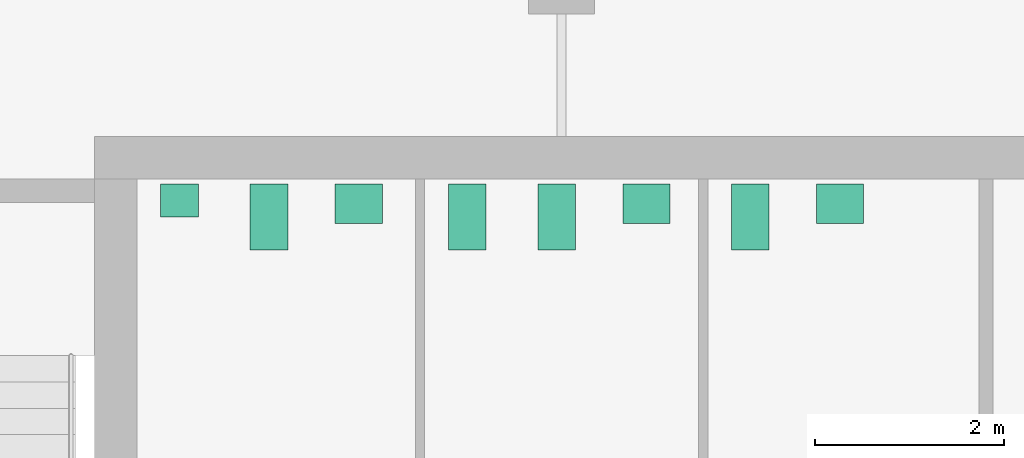
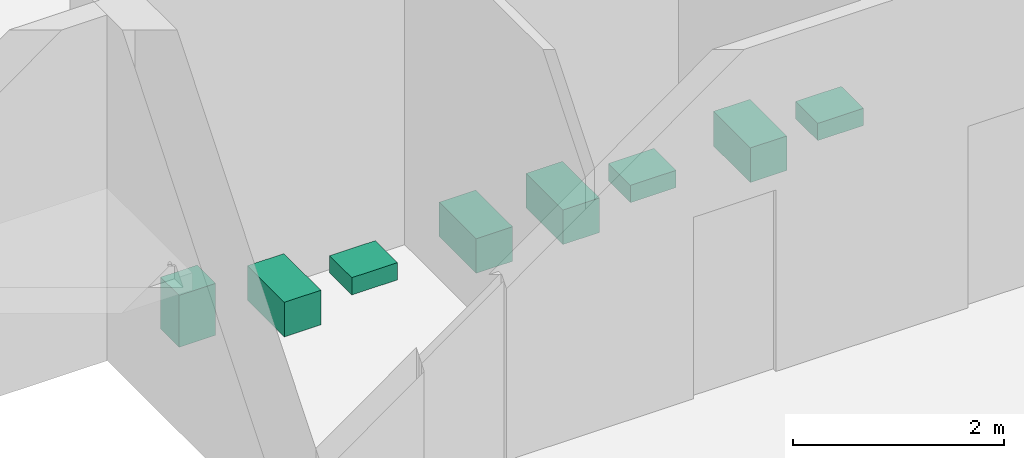
# One storey, part 7 of 7: 8 sanitary terminals.
"""IFC4 building model written with IfcOpenShell, lengths in metres."""

from ifc_helpers import new_model, si_unit, direction, frame, origin, origin_2d, place, context, subcontext, project, spatial, rectangle, extrude, material, type_object, element, save


model = new_model("IFC4")

# Units and contexts
model_context = context("Model", 3, precision=1e-05, world=origin(), true_north=direction((0.0, 1.0)))
body_context = subcontext(model_context, "Body", "Model", "MODEL_VIEW")
ifc_project = project(units=[si_unit("LENGTHUNIT", "METRE"), si_unit("AREAUNIT", "SQUARE_METRE"), si_unit("VOLUMEUNIT", "CUBIC_METRE"), si_unit("PLANEANGLEUNIT", "RADIAN"), si_unit("MASSUNIT", "GRAM", prefix="KILO")], contexts=[model_context])

# Site, building, storey
site_placement = place(None, origin())
site = spatial("IfcSite", under=ifc_project, at=site_placement, CompositionType="ELEMENT")
building_placement = place(site_placement, origin())
building = spatial("IfcBuilding", under=site, at=building_placement, Name="Cinnabar Reach Civic Tower", CompositionType="ELEMENT")
storey_placement = place(building_placement, frame((0.0, 0.0, 259.0)))
storey = spatial("IfcBuildingStorey", under=building, at=storey_placement, Name="L62", CompositionType="ELEMENT", Elevation=259.0)

# Sanitary terminals
ifc_material = material(Name="Vitreous china")
sanitary_terminal_type_1 = type_object("IfcSanitaryTerminalType", Name="T1 WC pan", PredefinedType="TOILETPAN", material=ifc_material)
for number, where, z_axis, x_axis, name in (
    (1, (5.9, 41.6, 0.0), (0.0, 0.0, 1.0), (1.0, 0.0, 0.0), "T1 WC pan 6208-2"),
    (2, (8.0, 41.6, 0.0), (0.0, 0.0, 1.0), (1.0, 0.0, 0.0), "T1 WC pan 6209-1"),
    (3, (8.95, 41.6, 0.0), (0.0, 0.0, 1.0), (1.0, 0.0, 0.0), "T1 WC pan 6209-2"),
    (4, (11.0, 41.6, 0.0), (0.0, 0.0, 1.0), (1.0, 0.0, 0.0), "T1 WC pan 6210-1"),
):
    element("IfcSanitaryTerminal", number, at=place(storey_placement, frame(where, z_axis=z_axis, x_axis=x_axis)), inside=storey, type_object=sanitary_terminal_type_1, Name=name, PredefinedType="TOILETPAN", context=body_context, shape_type="SweptSolid", body=[
        extrude(rectangle(XDim=0.4, YDim=0.7, at=origin_2d()), origin(), (0.0, 0.0, 1.0), 0.4),
    ])
sanitary_terminal_type_2 = type_object("IfcSanitaryTerminalType", Name="T1 urinal", PredefinedType="URINAL", material=ifc_material)
sanitary_terminal_placement = place(storey_placement, frame((4.95, 41.775, 0.0), z_axis=(0.0, 0.0, 1.0), x_axis=(1.0, 0.0, 0.0)))
element("IfcSanitaryTerminal", 5, at=sanitary_terminal_placement, inside=storey, type_object=sanitary_terminal_type_2, Name="T1 urinal 6208-1", PredefinedType="URINAL", context=body_context, shape_type="SweptSolid", body=[
    extrude(rectangle(XDim=0.4, YDim=0.35, at=origin_2d()), origin(), (0.0, 0.0, 1.0), 0.6),
])
sanitary_terminal_type_3 = type_object("IfcSanitaryTerminalType", Name="T1 wash basin", PredefinedType="WASHHANDBASIN", material=ifc_material)
for number, where, z_axis, x_axis, name in (
    (6, (6.85, 41.74, 0.0), (0.0, 0.0, 1.0), (1.0, 0.0, 0.0), "T1 wash basin 6208-3"),
    (7, (9.9, 41.74, 0.0), (0.0, 0.0, 1.0), (1.0, 0.0, 0.0), "T1 wash basin 6209-3"),
    (8, (11.95, 41.74, 0.0), (0.0, 0.0, 1.0), (1.0, 0.0, 0.0), "T1 wash basin 6210-2"),
):
    element("IfcSanitaryTerminal", number, at=place(storey_placement, frame(where, z_axis=z_axis, x_axis=x_axis)), inside=storey, type_object=sanitary_terminal_type_3, Name=name, PredefinedType="WASHHANDBASIN", context=body_context, shape_type="SweptSolid", body=[
        extrude(rectangle(XDim=0.5, YDim=0.42, at=origin_2d()), origin(), (0.0, 0.0, 1.0), 0.2),
    ])

save(model, "model.ifc")
